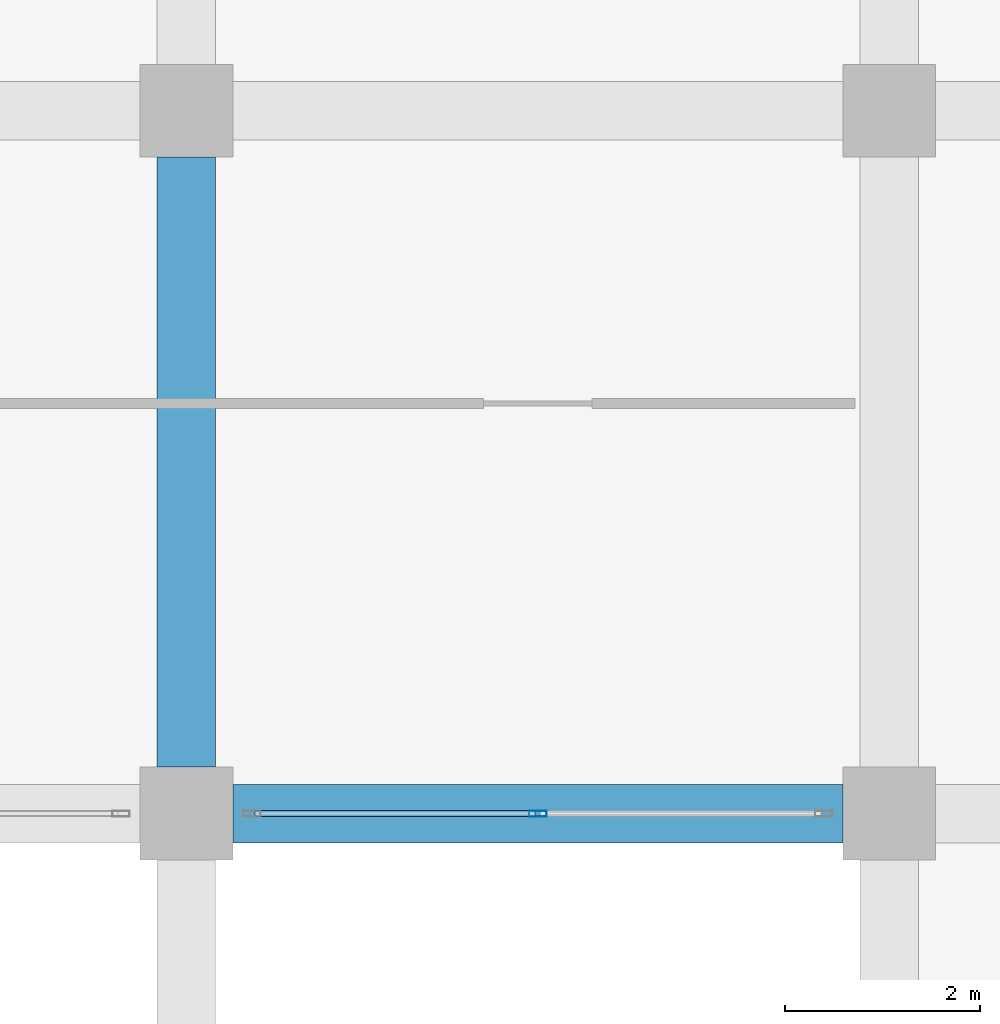
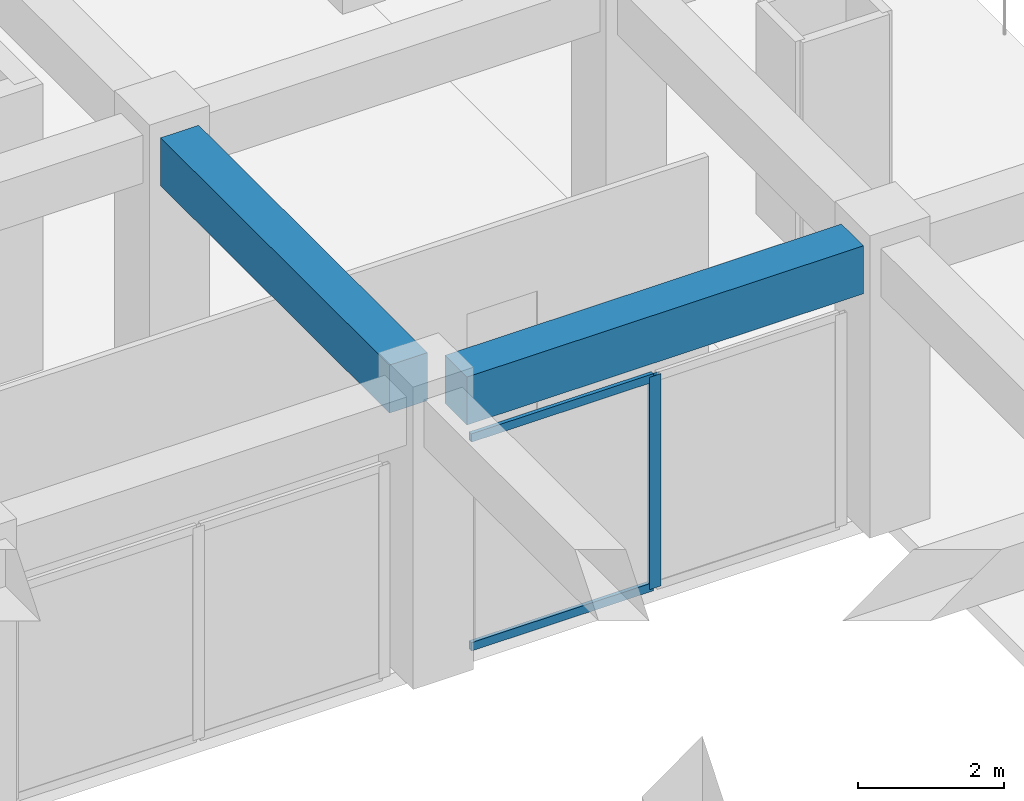
# One storey, part 16 of 54: 3 members, 2 beams, 1 element without a shape of its own.
"""IFC4 building model written with IfcOpenShell, lengths in metres."""

from ifc_helpers import new_model, si_unit, direction, frame, origin, origin_2d, place, context, subcontext, project, spatial, rectangle, hollow_rectangle, extrude, material, material_profile, profile_set, type_object, element, aggregate, save


model = new_model("IFC4")

# Units and contexts
model_context = context("Model", 3, precision=1e-05, world=origin(), true_north=direction((0.0, 1.0)))
body_context = subcontext(model_context, "Body", "Model", "MODEL_VIEW")
ifc_project = project(units=[si_unit("LENGTHUNIT", "METRE"), si_unit("AREAUNIT", "SQUARE_METRE"), si_unit("VOLUMEUNIT", "CUBIC_METRE"), si_unit("PLANEANGLEUNIT", "RADIAN"), si_unit("MASSUNIT", "GRAM", prefix="KILO")], contexts=[model_context])

# Site, building, storey
site_placement = place(None, origin())
site = spatial("IfcSite", under=ifc_project, at=site_placement, CompositionType="ELEMENT")
building_placement = place(site_placement, origin())
building = spatial("IfcBuilding", under=site, at=building_placement, Name="Kazehaya Institute of Natural Sciences", CompositionType="ELEMENT")
storey_placement = place(building_placement, frame((0.0, 0.0, 5.39990234375)))
storey = spatial("IfcBuildingStorey", under=building, at=storey_placement, Name="L01", CompositionType="ELEMENT", Elevation=5.39990234375)

# Beams
ifc_material_1 = material(Name="Concrete Fc36", Category="concrete")
ifc_material_profile_1 = material_profile(ifc_material_1, rectangle(XDim=0.60009765625, YDim=0.800048828125, at=origin_2d()), Name="RC-600x800")
ifc_profile_set_1 = profile_set([ifc_material_profile_1], Name="Concrete Fc36")
beam_type = type_object("IfcBeamType", Name="BM-G-600x800", PredefinedType="BEAM", material=ifc_profile_set_1)
for number, where, z_axis, x_axis, name in (
    (1, (112.675048828125, 14.0, 4.3701171875), (1.0, 0.0, 0.0), (0.0, 1.0, 0.0), "L01 primary X girder BMX-L01-1122-140"),
    (2, (112.199951171875, 14.47509765625, 4.3701171875), (0.0, 1.0, 0.0), (-1.0, 0.0, 0.0), "L01 primary Y girder BMY-L01-1122-140"),
):
    element("IfcBeam", number, at=place(storey_placement, frame(where, z_axis=z_axis, x_axis=x_axis)), inside=storey, type_object=beam_type, Name=name, PredefinedType="BEAM", context=body_context, shape_type="SweptSolid", body=[
        extrude(rectangle(XDim=0.60009765625, YDim=0.800048828125, at=origin_2d()), origin(), (0.0, 0.0, 1.0), 6.25),
    ])

# Curtain wall, members
ifc_material_2 = material(Name="Aluminium alloy A6063S-T5", Category="aluminium")
curtain_wall_type = type_object("IfcCurtainWallType", Name="CW-SYS-02", PredefinedType="NOTDEFINED", material=ifc_material_2)
curtain_wall_placement = place(storey_placement, origin())
curtain_wall = element("IfcCurtainWall", 3, at=curtain_wall_placement, inside=storey, type_object=curtain_wall_type, Name="L01 unitised curtain wall CW-L01-039", PredefinedType="NOTDEFINED")
ifc_material_profile_2 = material_profile(ifc_material_2, hollow_rectangle(XDim=0.06005859375, YDim=0.179931640625, WallThickness=0.00390625, at=origin_2d()), Name="ALU-60x180x4")
ifc_profile_set_2 = profile_set([ifc_material_profile_2], Name="Aluminium alloy A6063S-T5")
member_type_1 = type_object("IfcMemberType", Name="CWM-180", PredefinedType="MULLION", material=ifc_profile_set_2)
member_1_placement = place(storey_placement, frame((115.800048828125, 14.0, 0.0), z_axis=(0.0, 0.0, 1.0), x_axis=(0.0, -1.0, 0.0)))
member_1 = element("IfcMember", 4, at=member_1_placement, type_object=member_type_1, Name="CW02 mullion 2", PredefinedType="MULLION", context=body_context, shape_type="SweptSolid", body=[
    extrude(hollow_rectangle(XDim=0.06005859375, YDim=0.179931640625, WallThickness=0.00390625, at=origin_2d()), origin(), (0.0, 0.0, 1.0), 3.5400390625),
])
ifc_material_profile_3 = material_profile(ifc_material_2, hollow_rectangle(XDim=0.06005859375, YDim=0.139892578125, WallThickness=0.00341796875, at=origin_2d()), Name="ALU-60x140x3.5")
ifc_profile_set_3 = profile_set([ifc_material_profile_3], Name="Aluminium alloy A6063S-T5")
member_type_2 = type_object("IfcMemberType", Name="CWT-140", PredefinedType="USERDEFINED", material=ifc_profile_set_3)
member_2_placement = place(storey_placement, frame((115.77001953125, 14.0, 0.030029296875), z_axis=(-1.0, 0.0, 0.0), x_axis=(0.0, -1.0, 0.0)))
member_2 = element("IfcMember", 5, at=member_2_placement, type_object=member_type_2, Name="CW02 transom 2.1", ObjectType="TRANSOM", PredefinedType="USERDEFINED", context=body_context, shape_type="SweptSolid", body=[
    extrude(hollow_rectangle(XDim=0.06005859375, YDim=0.139892578125, WallThickness=0.00341796875, at=origin_2d()), origin(), (0.0, 0.0, 1.0), 2.8701171875),
])
member_3_placement = place(storey_placement, frame((115.77001953125, 14.0, 3.510009765625), z_axis=(-1.0, 0.0, 0.0), x_axis=(0.0, -1.0, 0.0)))
member_3 = element("IfcMember", 6, at=member_3_placement, type_object=member_type_2, Name="CW02 transom 2.2", ObjectType="TRANSOM", PredefinedType="USERDEFINED", context=body_context, shape_type="SweptSolid", body=[
    extrude(hollow_rectangle(XDim=0.06005859375, YDim=0.139892578125, WallThickness=0.00341796875, at=origin_2d()), origin(), (0.0, 0.0, 1.0), 2.8701171875),
])
aggregate(curtain_wall, [member_1, member_2, member_3])

save(model, "model.ifc")
